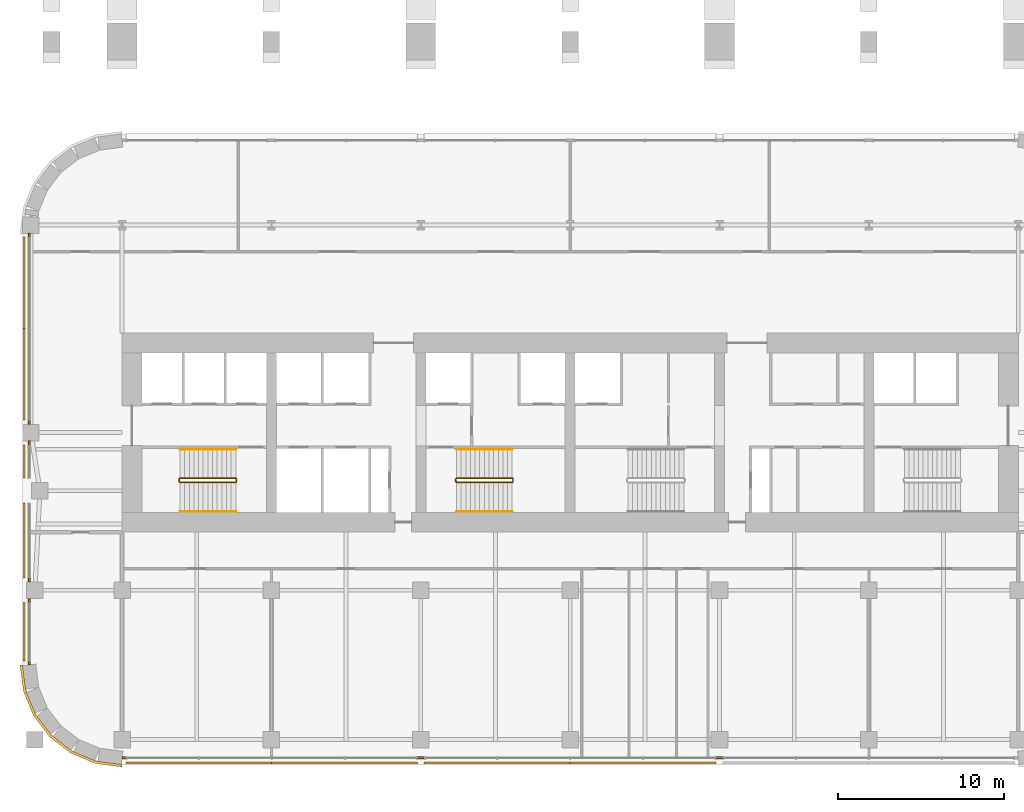
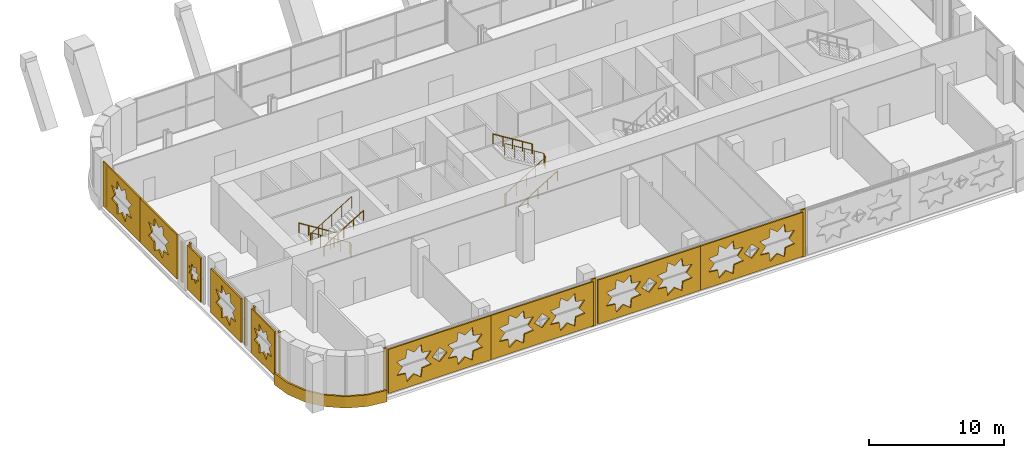
# One storey, part 20 of 24: 19 coverings, 6 railings.
"""IFC4 building model written with IfcOpenShell, lengths in metres."""

from ifc_helpers import new_model, si_unit, direction, frame, origin, origin_2d, place, context, subcontext, project, spatial, polyline, rectangle, circle, outline, extrude, material, layer, layer_set, type_object, element, save


model = new_model("IFC4")

# Units and contexts
model_context = context("Model", 3, precision=1e-05, world=origin(), true_north=direction((0.0, 1.0)))
body_context = subcontext(model_context, "Body", "Model", "MODEL_VIEW")
ifc_project = project(units=[si_unit("LENGTHUNIT", "METRE"), si_unit("AREAUNIT", "SQUARE_METRE"), si_unit("VOLUMEUNIT", "CUBIC_METRE"), si_unit("PLANEANGLEUNIT", "RADIAN"), si_unit("MASSUNIT", "GRAM", prefix="KILO")], contexts=[model_context])

# Site, building, storey
site_placement = place(None, origin())
site = spatial("IfcSite", under=ifc_project, at=site_placement, CompositionType="ELEMENT")
building_placement = place(site_placement, origin())
building = spatial("IfcBuilding", under=site, at=building_placement, Name="Zellij Exchange Tower", CompositionType="ELEMENT")
storey_placement = place(building_placement, frame((0.0, 0.0, 48.0)))
storey = spatial("IfcBuildingStorey", under=building, at=storey_placement, Name="L08", CompositionType="ELEMENT", Elevation=48.0)

# Railings
ifc_material_1 = material(Name="Stainless steel", Category="steel")
railing_type_1 = type_object("IfcRailingType", Name="CORE-RG stair guard", PredefinedType="GUARDRAIL", material=ifc_material_1)
railing_1_placement = place(storey_placement, frame((-20.10009765625, -10.800048828125, 0.0)))
element("IfcRailing", 1, at=railing_1_placement, inside=storey, type_object=railing_type_1, Name="ST1 stair guard L08", PredefinedType="GUARDRAIL", context=body_context, shape_type="SweptSolid", body=[
    extrude(circle(Radius=0.02392578125, at=origin_2d()), frame((0.0, 0.0, 1.076171875), z_axis=(0.0, -1.0, 0.0), x_axis=(1.0, 0.0, 0.0)), (0.0, 0.0, 1.0), 0.14990234375),
    extrude(circle(Radius=0.02392578125, at=origin_2d()), frame((0.0, -0.14990234375, 1.076171875), z_axis=(-0.185068141132, 0.742994154839, 0.643202510111), x_axis=(-0.970351222016, -0.241699205484, 0.0)), (0.0, 0.0, 1.0), 0.26904296875),
    extrude(circle(Radius=0.02392578125, at=origin_2d()), frame((-0.0498046875, 0.050048828125, 1.2490234375), z_axis=(-0.850623216509, 0.0, 0.525775754039), x_axis=(0.0, -1.0, 0.0)), (0.0, 0.0, 1.0), 3.9501953125),
    extrude(circle(Radius=0.02392578125, at=origin_2d()), frame((-3.409912109375, 0.050048828125, 3.326171875), z_axis=(-0.707106781187, -0.707106781187, 0.0), x_axis=(0.707106781187, -0.707106781187, 0.0)), (0.0, 0.0, 1.0), 0.07080078125),
    extrude(circle(Radius=0.02392578125, at=origin_2d()), frame((-3.4599609375, 0.0, 3.326171875), z_axis=(0.0, -1.0, 0.0), x_axis=(1.0, 0.0, 0.0)), (0.0, 0.0, 1.0), 0.14990234375),
    extrude(circle(Radius=0.02392578125, at=origin_2d()), frame((-3.4599609375, -0.14990234375, 3.326171875), z_axis=(0.267629722418, -0.267629722418, 0.925607186314), x_axis=(0.707106781187, 0.707106781187, 0.0)), (0.0, 0.0, 1.0), 0.18701171875),
    extrude(circle(Radius=0.02392578125, at=origin_2d()), frame((-3.409912109375, -0.199951171875, 3.4990234375), z_axis=(0.850623216509, 0.0, 0.525775754039), x_axis=(0.0, 1.0, 0.0)), (0.0, 0.0, 1.0), 3.9501953125),
    extrude(circle(Radius=0.02099609375, at=origin_2d()), origin(), (0.0, 0.0, 1.0), 1.052001953125),
    extrude(circle(Radius=0.02099609375, at=origin_2d()), frame((0.0, -0.14990234375, 0.0)), (0.0, 0.0, 1.0), 1.052001953125),
    extrude(circle(Radius=0.02099609375, at=origin_2d()), frame((-0.0498046875, 0.050048828125, 0.173095703125)), (0.0, 0.0, 1.0), 1.052001953125),
    extrude(circle(Radius=0.02099609375, at=origin_2d()), frame((-0.889892578125, 0.050048828125, 0.6923828125)), (0.0, 0.0, 1.0), 1.052001953125),
    extrude(circle(Radius=0.02099609375, at=origin_2d()), frame((-1.72998046875, 0.050048828125, 1.21142578125)), (0.0, 0.0, 1.0), 1.052001953125),
    extrude(circle(Radius=0.02099609375, at=origin_2d()), frame((-2.56982421875, 0.050048828125, 1.730712890625)), (0.0, 0.0, 1.0), 1.052001953125),
    extrude(circle(Radius=0.02099609375, at=origin_2d()), frame((-3.409912109375, 0.050048828125, 2.25)), (0.0, 0.0, 1.0), 1.052001953125),
    extrude(circle(Radius=0.02099609375, at=origin_2d()), frame((-3.4599609375, 0.0, 2.25)), (0.0, 0.0, 1.0), 1.052001953125),
    extrude(circle(Radius=0.02099609375, at=origin_2d()), frame((-3.4599609375, -0.14990234375, 2.25)), (0.0, 0.0, 1.0), 1.052001953125),
    extrude(circle(Radius=0.02099609375, at=origin_2d()), frame((-3.409912109375, -0.199951171875, 2.423095703125)), (0.0, 0.0, 1.0), 1.052001953125),
    extrude(circle(Radius=0.02099609375, at=origin_2d()), frame((-2.56982421875, -0.199951171875, 2.9423828125)), (0.0, 0.0, 1.0), 1.052001953125),
    extrude(circle(Radius=0.02099609375, at=origin_2d()), frame((-1.72998046875, -0.199951171875, 3.46142578125)), (0.0, 0.0, 1.0), 1.052001953125),
    extrude(circle(Radius=0.02099609375, at=origin_2d()), frame((-0.889892578125, -0.199951171875, 3.980712890625)), (0.0, 0.0, 1.0), 1.052001953125),
    extrude(circle(Radius=0.02099609375, at=origin_2d()), frame((-0.0498046875, -0.199951171875, 4.5)), (0.0, 0.0, 1.0), 1.052001953125),
])
railing_2_placement = place(storey_placement, frame((-6.89990234375, -10.949951171875, 0.0)))
element("IfcRailing", 2, at=railing_2_placement, inside=storey, type_object=railing_type_1, Name="ST2 stair guard L08", PredefinedType="GUARDRAIL", context=body_context, shape_type="SweptSolid", body=[
    extrude(circle(Radius=0.02392578125, at=origin_2d()), frame((0.0, 0.0, 1.076171875), z_axis=(0.0, 1.0, 0.0), x_axis=(-1.0, 0.0, 0.0)), (0.0, 0.0, 1.0), 0.14990234375),
    extrude(circle(Radius=0.02392578125, at=origin_2d()), frame((0.0, 0.14990234375, 1.076171875), z_axis=(0.185068141132, -0.742994154839, 0.643202510111), x_axis=(0.970351222016, 0.241699205484, 0.0)), (0.0, 0.0, 1.0), 0.26904296875),
    extrude(circle(Radius=0.02392578125, at=origin_2d()), frame((0.0498046875, -0.050048828125, 1.2490234375), z_axis=(0.850623216509, 0.0, 0.525775754039), x_axis=(0.0, 1.0, 0.0)), (0.0, 0.0, 1.0), 3.9501953125),
    extrude(circle(Radius=0.02392578125, at=origin_2d()), frame((3.409912109375, -0.050048828125, 3.326171875), z_axis=(0.707106781187, 0.707106781187, 0.0), x_axis=(-0.707106781187, 0.707106781187, 0.0)), (0.0, 0.0, 1.0), 0.07080078125),
    extrude(circle(Radius=0.02392578125, at=origin_2d()), frame((3.4599609375, 0.0, 3.326171875), z_axis=(0.0, 1.0, 0.0), x_axis=(-1.0, 0.0, 0.0)), (0.0, 0.0, 1.0), 0.14990234375),
    extrude(circle(Radius=0.02392578125, at=origin_2d()), frame((3.4599609375, 0.14990234375, 3.326171875), z_axis=(-0.267629722418, 0.267629722418, 0.925607186314), x_axis=(-0.707106781187, -0.707106781187, 0.0)), (0.0, 0.0, 1.0), 0.18701171875),
    extrude(circle(Radius=0.02392578125, at=origin_2d()), frame((3.409912109375, 0.199951171875, 3.4990234375), z_axis=(-0.850623216509, 0.0, 0.525775754039), x_axis=(0.0, -1.0, 0.0)), (0.0, 0.0, 1.0), 3.9501953125),
    extrude(circle(Radius=0.02099609375, at=origin_2d()), origin(), (0.0, 0.0, 1.0), 1.052001953125),
    extrude(circle(Radius=0.02099609375, at=origin_2d()), frame((0.0, 0.14990234375, 0.0)), (0.0, 0.0, 1.0), 1.052001953125),
    extrude(circle(Radius=0.02099609375, at=origin_2d()), frame((0.0498046875, -0.050048828125, 0.173095703125)), (0.0, 0.0, 1.0), 1.052001953125),
    extrude(circle(Radius=0.02099609375, at=origin_2d()), frame((0.889892578125, -0.050048828125, 0.6923828125)), (0.0, 0.0, 1.0), 1.052001953125),
    extrude(circle(Radius=0.02099609375, at=origin_2d()), frame((1.72998046875, -0.050048828125, 1.21142578125)), (0.0, 0.0, 1.0), 1.052001953125),
    extrude(circle(Radius=0.02099609375, at=origin_2d()), frame((2.56982421875, -0.050048828125, 1.730712890625)), (0.0, 0.0, 1.0), 1.052001953125),
    extrude(circle(Radius=0.02099609375, at=origin_2d()), frame((3.409912109375, -0.050048828125, 2.25)), (0.0, 0.0, 1.0), 1.052001953125),
    extrude(circle(Radius=0.02099609375, at=origin_2d()), frame((3.4599609375, 0.0, 2.25)), (0.0, 0.0, 1.0), 1.052001953125),
    extrude(circle(Radius=0.02099609375, at=origin_2d()), frame((3.4599609375, 0.14990234375, 2.25)), (0.0, 0.0, 1.0), 1.052001953125),
    extrude(circle(Radius=0.02099609375, at=origin_2d()), frame((3.409912109375, 0.199951171875, 2.423095703125)), (0.0, 0.0, 1.0), 1.052001953125),
    extrude(circle(Radius=0.02099609375, at=origin_2d()), frame((2.56982421875, 0.199951171875, 2.9423828125)), (0.0, 0.0, 1.0), 1.052001953125),
    extrude(circle(Radius=0.02099609375, at=origin_2d()), frame((1.72998046875, 0.199951171875, 3.46142578125)), (0.0, 0.0, 1.0), 1.052001953125),
    extrude(circle(Radius=0.02099609375, at=origin_2d()), frame((0.889892578125, 0.199951171875, 3.980712890625)), (0.0, 0.0, 1.0), 1.052001953125),
    extrude(circle(Radius=0.02099609375, at=origin_2d()), frame((0.0498046875, 0.199951171875, 4.5)), (0.0, 0.0, 1.0), 1.052001953125),
])
railing_type_2 = type_object("IfcRailingType", Name="CORE-RH stair handrail", PredefinedType="HANDRAIL", material=ifc_material_1)
railing_3_placement = place(storey_placement, frame((-20.14990234375, -9.0, 0.173095703125)))
element("IfcRailing", 3, at=railing_3_placement, inside=storey, type_object=railing_type_2, Name="ST1 stair handrail L08", PredefinedType="HANDRAIL", context=body_context, shape_type="SweptSolid", body=[
    extrude(circle(Radius=0.02392578125, at=origin_2d()), frame((0.0, 0.0, 0.8759765625), z_axis=(-0.850623216509, 0.0, 0.525775754039), x_axis=(0.0, -1.0, 0.0)), (0.0, 0.0, 1.0), 3.9501953125),
    extrude(circle(Radius=0.02099609375, at=origin_2d()), origin(), (0.0, 0.0, 1.0), 0.851806640625),
    extrude(circle(Radius=0.02099609375, at=origin_2d()), frame((-0.840087890625, 0.0, 0.519287109375)), (0.0, 0.0, 1.0), 0.851806640625),
    extrude(circle(Radius=0.02099609375, at=origin_2d()), frame((-1.68017578125, 0.0, 1.03857421875)), (0.0, 0.0, 1.0), 0.851806640625),
    extrude(circle(Radius=0.02099609375, at=origin_2d()), frame((-2.52001953125, 0.0, 1.5576171875)), (0.0, 0.0, 1.0), 0.851806640625),
    extrude(circle(Radius=0.02099609375, at=origin_2d()), frame((-3.360107421875, 0.0, 2.076904296875)), (0.0, 0.0, 1.0), 0.851806640625),
])
for number, where, name in (
    (4, (-23.510009765625, -12.75, 2.423095703125), "ST1 stair handrail L08"),
    (5, (-6.85009765625, -12.75, 0.173095703125), "ST2 stair handrail L08"),
):
    element("IfcRailing", number, at=place(storey_placement, frame(where)), inside=storey, type_object=railing_type_2, Name=name, PredefinedType="HANDRAIL", context=body_context, shape_type="SweptSolid", body=[
        extrude(circle(Radius=0.02392578125, at=origin_2d()), frame((0.0, 0.0, 0.8759765625), z_axis=(0.850623216509, 0.0, 0.525775754039), x_axis=(0.0, 1.0, 0.0)), (0.0, 0.0, 1.0), 3.9501953125),
        extrude(circle(Radius=0.02099609375, at=origin_2d()), origin(), (0.0, 0.0, 1.0), 0.851806640625),
        extrude(circle(Radius=0.02099609375, at=origin_2d()), frame((0.840087890625, 0.0, 0.519287109375)), (0.0, 0.0, 1.0), 0.851806640625),
        extrude(circle(Radius=0.02099609375, at=origin_2d()), frame((1.68017578125, 0.0, 1.03857421875)), (0.0, 0.0, 1.0), 0.851806640625),
        extrude(circle(Radius=0.02099609375, at=origin_2d()), frame((2.52001953125, 0.0, 1.5576171875)), (0.0, 0.0, 1.0), 0.851806640625),
        extrude(circle(Radius=0.02099609375, at=origin_2d()), frame((3.360107421875, 0.0, 2.076904296875)), (0.0, 0.0, 1.0), 0.851806640625),
    ])
railing_4_placement = place(storey_placement, frame((-3.489990234375, -9.0, 2.423095703125)))
element("IfcRailing", 6, at=railing_4_placement, inside=storey, type_object=railing_type_2, Name="ST2 stair handrail L08", PredefinedType="HANDRAIL", context=body_context, shape_type="SweptSolid", body=[
    extrude(circle(Radius=0.02392578125, at=origin_2d()), frame((0.0, 0.0, 0.8759765625), z_axis=(-0.850623216509, 0.0, 0.525775754039), x_axis=(0.0, -1.0, 0.0)), (0.0, 0.0, 1.0), 3.9501953125),
    extrude(circle(Radius=0.02099609375, at=origin_2d()), origin(), (0.0, 0.0, 1.0), 0.851806640625),
    extrude(circle(Radius=0.02099609375, at=origin_2d()), frame((-0.840087890625, 0.0, 0.519287109375)), (0.0, 0.0, 1.0), 0.851806640625),
    extrude(circle(Radius=0.02099609375, at=origin_2d()), frame((-1.68017578125, 0.0, 1.03857421875)), (0.0, 0.0, 1.0), 0.851806640625),
    extrude(circle(Radius=0.02099609375, at=origin_2d()), frame((-2.52001953125, 0.0, 1.5576171875)), (0.0, 0.0, 1.0), 0.851806640625),
    extrude(circle(Radius=0.02099609375, at=origin_2d()), frame((-3.360107421875, 0.0, 2.076904296875)), (0.0, 0.0, 1.0), 0.851806640625),
])

# Coverings
ifc_material_2 = material(Name="Limestone cladding", Category="masonry")
ifc_layer_1 = layer(ifc_material_2, 0.14990234375)
ifc_layer_set_1 = layer_set([ifc_layer_1], Name="Limestone cladding")
covering_type_1 = type_object("IfcCoveringType", Name="ENV-CV1 Stone spandrel band 150", PredefinedType="CLADDING", material=ifc_layer_set_1)
covering_1_placement = place(storey_placement, frame((0.0, 0.0, -0.25)))
element("IfcCovering", 7, at=covering_1_placement, inside=storey, type_object=covering_type_1, Name="Stone spandrel band", PredefinedType="CLADDING", context=body_context, shape_type="SweptSolid", body=[
    extrude(outline(polyline([(-33.0, -22.0), (-32.795654296875, -23.552978515625), (-32.1962890625, -25.0), (-31.24267578125, -26.24267578125), (-30.0, -27.1962890625), (-28.552978515625, -27.795654296875), (-27.0, -28.0), (-27.009765625, -28.14990234375), (-28.592041015625, -27.941650390625), (-30.07568359375, -27.3271484375), (-31.349609375, -26.349609375), (-32.3271484375, -25.07568359375), (-32.941650390625, -23.592041015625), (-33.14990234375, -22.009765625), (-33.0, -22.0)])), origin(), (0.0, 0.0, 1.0), 1.050048828125),
])
ifc_layer_2 = layer(ifc_material_2, 0.1201171875)
ifc_layer_set_2 = layer_set([ifc_layer_2], Name="Limestone cladding")
covering_type_2 = type_object("IfcCoveringType", Name="ENV-CV18 Glazing closer 120", PredefinedType="CLADDING", material=ifc_layer_set_2)
for number, where, z_axis, x_axis, name in (
    (8, (9.0, -27.60009765625, 0.0), (0.0, 0.0, 1.0), (1.0, 0.0, 0.0), "Glazing closer"),
    (9, (-9.0, -27.60009765625, 0.0), (0.0, 0.0, 1.0), (1.0, 0.0, 0.0), "Glazing closer"),
):
    element("IfcCovering", number, at=place(storey_placement, frame(where, z_axis=z_axis, x_axis=x_axis)), inside=storey, type_object=covering_type_2, Name=name, PredefinedType="CLADDING", context=body_context, shape_type="SweptSolid", body=[
        extrude(rectangle(XDim=0.39990234375, YDim=0.1201171875, at=origin_2d()), origin(), (0.0, 0.0, 1.0), 4.300048828125),
    ])
covering_2_placement = place(storey_placement, frame((-32.60009765625, -7.375, 0.0), z_axis=(0.0, 0.0, 1.0), x_axis=(0.0, -1.0, 0.0)))
element("IfcCovering", 10, at=covering_2_placement, inside=storey, type_object=covering_type_2, Name="Glazing closer", PredefinedType="CLADDING", context=body_context, shape_type="SweptSolid", body=[
    extrude(rectangle(XDim=0.25, YDim=0.1201171875, at=origin_2d()), origin(), (0.0, 0.0, 1.0), 3.677734375),
])
for number, where, z_axis, x_axis, name in (
    (11, (-32.60009765625, -8.625, 0.0), (0.0, 0.0, 1.0), (0.0, 1.0, 0.0), "Glazing closer"),
    (12, (-32.60009765625, -16.875, 0.0), (0.0, 0.0, 1.0), (0.0, -1.0, 0.0), "Glazing closer"),
    (13, (-32.60009765625, -18.125, 0.0), (0.0, 0.0, 1.0), (0.0, 1.0, 0.0), "Glazing closer"),
):
    element("IfcCovering", number, at=place(storey_placement, frame(where, z_axis=z_axis, x_axis=x_axis)), inside=storey, type_object=covering_type_2, Name=name, PredefinedType="CLADDING", context=body_context, shape_type="SweptSolid", body=[
        extrude(rectangle(XDim=0.25, YDim=0.1201171875, at=origin_2d()), origin(), (0.0, 0.0, 1.0), 4.300048828125),
    ])
covering_3_placement = place(storey_placement, frame((-32.60009765625, 3.886962890625, 0.0), z_axis=(0.0, 0.0, 1.0), x_axis=(0.0, 1.0, 0.0)))
element("IfcCovering", 14, at=covering_3_placement, inside=storey, type_object=covering_type_2, Name="Glazing closer", PredefinedType="CLADDING", context=body_context, shape_type="SweptSolid", body=[
    extrude(rectangle(XDim=0.226318359375, YDim=0.1201171875, at=origin_2d()), origin(), (0.0, 0.0, 1.0), 3.677734375),
])
for number, where, z_axis, x_axis, name in (
    (15, (-26.883056640625, -27.60009765625, 0.0), (0.0, 0.0, 1.0), (-1.0, 0.0, 0.0), "Glazing closer"),
    (16, (-32.60009765625, -21.883056640625, 0.0), (0.0, 0.0, 1.0), (0.0, -1.0, 0.0), "Glazing closer"),
):
    element("IfcCovering", number, at=place(storey_placement, frame(where, z_axis=z_axis, x_axis=x_axis)), inside=storey, type_object=covering_type_2, Name=name, PredefinedType="CLADDING", context=body_context, shape_type="SweptSolid", body=[
        extrude(rectangle(XDim=0.218505859375, YDim=0.1201171875, at=origin_2d()), origin(), (0.0, 0.0, 1.0), 4.300048828125),
    ])
ifc_material_3 = material(Name="Limestone screen", Category="masonry")
ifc_layer_3 = layer(ifc_material_3, 0.1201171875)
ifc_layer_set_3 = layer_set([ifc_layer_3], Name="Limestone screen")
covering_type_3 = type_object("IfcCoveringType", Name="ENV-SC1 Pierced stone screen 120", PredefinedType="USERDEFINED", material=ifc_layer_set_3)
covering_4_placement = place(storey_placement, frame((-26.773681640625, -27.89990234375, 0.300048828125), z_axis=(0.0, 0.0, 1.0), x_axis=(1.0, 0.0, 0.0)))
element("IfcCovering", 17, at=covering_4_placement, inside=storey, type_object=covering_type_3, Name="Pierced stone screen", ObjectType="SCREEN", PredefinedType="USERDEFINED", context=body_context, shape_type="SweptSolid", body=[
    extrude(outline(polyline([(0.0, 0.0), (8.786865234375, 0.0), (8.786865234375, 4.0), (0.0, 4.0), (0.0, 0.0)]), holes=[polyline([(3.6748046875, 2.6123046875), (2.898193359375, 2.701416015625), (2.80908203125, 3.478271484375), (2.19677734375, 2.991943359375), (1.58447265625, 3.478271484375), (1.495361328125, 2.701416015625), (0.718505859375, 2.6123046875), (1.20458984375, 2.0), (0.718505859375, 1.3876953125), (1.495361328125, 1.298583984375), (1.58447265625, 0.521728515625), (2.19677734375, 1.008056640625), (2.80908203125, 0.521728515625), (2.898193359375, 1.298583984375), (3.6748046875, 1.3876953125), (3.188720703125, 2.0), (3.6748046875, 2.6123046875)]), polyline([(8.068359375, 2.6123046875), (7.29150390625, 2.701416015625), (7.202392578125, 3.478271484375), (6.590087890625, 2.991943359375), (5.977783203125, 3.478271484375), (5.888671875, 2.701416015625), (5.112060546875, 2.6123046875), (5.59814453125, 2.0), (5.112060546875, 1.3876953125), (5.888671875, 1.298583984375), (5.977783203125, 0.521728515625), (6.590087890625, 1.008056640625), (7.202392578125, 0.521728515625), (7.29150390625, 1.298583984375), (8.068359375, 1.3876953125), (7.582275390625, 2.0), (8.068359375, 2.6123046875)]), polyline([(5.033447265625, 2.0), (4.393310546875, 2.639892578125), (3.75341796875, 2.0), (4.393310546875, 1.360107421875), (5.033447265625, 2.0)])]), frame((0.0, 0.06005859375, 0.0), z_axis=(0.0, -1.0, 0.0), x_axis=(1.0, 0.0, 0.0)), (0.0, 0.0, 1.0), 0.1201171875),
])
covering_5_placement = place(storey_placement, frame((-17.98681640625, -27.89990234375, 0.300048828125), z_axis=(0.0, 0.0, 1.0), x_axis=(1.0, 0.0, 0.0)))
element("IfcCovering", 18, at=covering_5_placement, inside=storey, type_object=covering_type_3, Name="Pierced stone screen", ObjectType="SCREEN", PredefinedType="USERDEFINED", context=body_context, shape_type="SweptSolid", body=[
    extrude(outline(polyline([(0.0, 0.0), (8.786865234375, 0.0), (8.786865234375, 4.0), (0.0, 4.0), (0.0, 0.0)]), holes=[polyline([(3.6748046875, 2.6123046875), (2.898193359375, 2.701416015625), (2.80908203125, 3.478271484375), (2.19677734375, 2.991943359375), (1.58447265625, 3.478271484375), (1.495361328125, 2.701416015625), (0.718505859375, 2.6123046875), (1.20458984375, 2.0), (0.718505859375, 1.3876953125), (1.495361328125, 1.298583984375), (1.58447265625, 0.521728515625), (2.19677734375, 1.008056640625), (2.80908203125, 0.521728515625), (2.898193359375, 1.298583984375), (3.6748046875, 1.3876953125), (3.188720703125, 2.0), (3.6748046875, 2.6123046875)]), polyline([(8.068359375, 2.6123046875), (7.29150390625, 2.701416015625), (7.202392578125, 3.478271484375), (6.590087890625, 2.991943359375), (5.977783203125, 3.478271484375), (5.888671875, 2.701416015625), (5.112060546875, 2.6123046875), (5.59814453125, 2.0), (5.112060546875, 1.3876953125), (5.888671875, 1.298583984375), (5.977783203125, 0.521728515625), (6.590087890625, 1.008056640625), (7.202392578125, 0.521728515625), (7.29150390625, 1.298583984375), (8.068359375, 1.3876953125), (7.582275390625, 2.0), (8.068359375, 2.6123046875)]), polyline([(5.033447265625, 2.0), (4.3935546875, 2.639892578125), (3.75341796875, 2.0), (4.3935546875, 1.360107421875), (5.033447265625, 2.0)])]), frame((0.0, 0.06005859375, 0.0), z_axis=(0.0, -1.0, 0.0), x_axis=(1.0, 0.0, 0.0)), (0.0, 0.0, 1.0), 0.1201171875),
])
for number, where, z_axis, x_axis, name in (
    (19, (-8.800048828125, -27.89990234375, 0.300048828125), (0.0, 0.0, 1.0), (1.0, 0.0, 0.0), "Pierced stone screen"),
    (20, (0.0, -27.89990234375, 0.300048828125), (0.0, 0.0, 1.0), (1.0, 0.0, 0.0), "Pierced stone screen"),
):
    element("IfcCovering", number, at=place(storey_placement, frame(where, z_axis=z_axis, x_axis=x_axis)), inside=storey, type_object=covering_type_3, Name=name, ObjectType="SCREEN", PredefinedType="USERDEFINED", context=body_context, shape_type="SweptSolid", body=[
        extrude(outline(polyline([(0.0, 0.0), (8.800048828125, 0.0), (8.800048828125, 4.0), (0.0, 4.0), (0.0, 0.0)]), holes=[polyline([(3.67822265625, 2.6123046875), (2.9013671875, 2.701416015625), (2.812255859375, 3.478271484375), (2.199951171875, 2.991943359375), (1.587646484375, 3.478271484375), (1.49853515625, 2.701416015625), (0.7216796875, 2.6123046875), (1.2080078125, 2.0), (0.7216796875, 1.3876953125), (1.49853515625, 1.298583984375), (1.587646484375, 0.521728515625), (2.199951171875, 1.008056640625), (2.812255859375, 0.521728515625), (2.9013671875, 1.298583984375), (3.67822265625, 1.3876953125), (3.19189453125, 2.0), (3.67822265625, 2.6123046875)]), polyline([(8.078125, 2.6123046875), (7.301513671875, 2.701416015625), (7.21240234375, 3.478271484375), (6.60009765625, 2.991943359375), (5.98779296875, 3.478271484375), (5.898681640625, 2.701416015625), (5.121826171875, 2.6123046875), (5.60791015625, 2.0), (5.121826171875, 1.3876953125), (5.898681640625, 1.298583984375), (5.98779296875, 0.521728515625), (6.60009765625, 1.008056640625), (7.21240234375, 0.521728515625), (7.301513671875, 1.298583984375), (8.078125, 1.3876953125), (7.592041015625, 2.0), (8.078125, 2.6123046875)]), polyline([(5.0400390625, 2.0), (4.39990234375, 2.639892578125), (3.760009765625, 2.0), (4.39990234375, 1.360107421875), (5.0400390625, 2.0)])]), frame((0.0, 0.06005859375, 0.0), z_axis=(0.0, -1.0, 0.0), x_axis=(1.0, 0.0, 0.0)), (0.0, 0.0, 1.0), 0.1201171875),
    ])
for number, where, z_axis, x_axis, name in (
    (21, (-32.89990234375, 3.773681640625, 0.300048828125), (0.0, 0.0, 1.0), (0.0, -1.0, 0.0), "Pierced stone screen"),
    (22, (-32.89990234375, -1.738037109375, 0.300048828125), (0.0, 0.0, 1.0), (0.0, -1.0, 0.0), "Pierced stone screen"),
):
    element("IfcCovering", number, at=place(storey_placement, frame(where, z_axis=z_axis, x_axis=x_axis)), inside=storey, type_object=covering_type_3, Name=name, ObjectType="SCREEN", PredefinedType="USERDEFINED", context=body_context, shape_type="SweptSolid", body=[
        extrude(outline(polyline([(0.0, 0.0), (5.511962890625, 0.0), (5.511962890625, 4.0), (0.0, 4.0), (0.0, 0.0)]), holes=[polyline([(4.234130859375, 2.6123046875), (3.45751953125, 2.701416015625), (3.3681640625, 3.478271484375), (2.755859375, 2.991943359375), (2.143798828125, 3.478271484375), (2.054443359375, 2.701416015625), (1.277587890625, 2.6123046875), (1.763916015625, 2.0), (1.277587890625, 1.3876953125), (2.054443359375, 1.298583984375), (2.143798828125, 0.521728515625), (2.755859375, 1.008056640625), (3.3681640625, 0.521728515625), (3.45751953125, 1.298583984375), (4.234130859375, 1.3876953125), (3.747802734375, 2.0), (4.234130859375, 2.6123046875)])]), frame((0.0, 0.06005859375, 0.0), z_axis=(0.0, -1.0, 0.0), x_axis=(1.0, 0.0, 0.0)), (0.0, 0.0, 1.0), 0.1201171875),
    ])
covering_6_placement = place(storey_placement, frame((-32.89990234375, -8.75, 0.300048828125), z_axis=(0.0, 0.0, 1.0), x_axis=(0.0, -1.0, 0.0)))
element("IfcCovering", 23, at=covering_6_placement, inside=storey, type_object=covering_type_3, Name="Pierced stone screen", ObjectType="SCREEN", PredefinedType="USERDEFINED", context=body_context, shape_type="SweptSolid", body=[
    extrude(outline(polyline([(0.0, 0.0), (2.0, 0.0), (2.0, 4.0), (0.0, 4.0), (0.0, 0.0)]), holes=[polyline([(1.739013671875, 2.30615234375), (1.3505859375, 2.3505859375), (1.30615234375, 2.739013671875), (1.0, 2.49609375), (0.69384765625, 2.739013671875), (0.6494140625, 2.3505859375), (0.260986328125, 2.30615234375), (0.50390625, 2.0), (0.260986328125, 1.69384765625), (0.6494140625, 1.6494140625), (0.69384765625, 1.260986328125), (1.0, 1.50390625), (1.30615234375, 1.260986328125), (1.3505859375, 1.6494140625), (1.739013671875, 1.69384765625), (1.49609375, 2.0), (1.739013671875, 2.30615234375)])]), frame((0.0, 0.06005859375, 0.0), z_axis=(0.0, -1.0, 0.0), x_axis=(1.0, 0.0, 0.0)), (0.0, 0.0, 1.0), 0.1201171875),
])
covering_7_placement = place(storey_placement, frame((-32.89990234375, -12.25, 0.300048828125), z_axis=(0.0, 0.0, 1.0), x_axis=(0.0, -1.0, 0.0)))
element("IfcCovering", 24, at=covering_7_placement, inside=storey, type_object=covering_type_3, Name="Pierced stone screen", ObjectType="SCREEN", PredefinedType="USERDEFINED", context=body_context, shape_type="SweptSolid", body=[
    extrude(outline(polyline([(0.0, 0.0), (4.5, 0.0), (4.5, 4.0), (0.0, 4.0), (0.0, 0.0)]), holes=[polyline([(3.728271484375, 2.6123046875), (2.951416015625, 2.701416015625), (2.8623046875, 3.478271484375), (2.25, 2.991943359375), (1.6376953125, 3.478271484375), (1.548583984375, 2.701416015625), (0.771728515625, 2.6123046875), (1.258056640625, 2.0), (0.771728515625, 1.3876953125), (1.548583984375, 1.298583984375), (1.6376953125, 0.521728515625), (2.25, 1.008056640625), (2.8623046875, 0.521728515625), (2.951416015625, 1.298583984375), (3.728271484375, 1.3876953125), (3.241943359375, 2.0), (3.728271484375, 2.6123046875)])]), frame((0.0, 0.06005859375, 0.0), z_axis=(0.0, -1.0, 0.0), x_axis=(1.0, 0.0, 0.0)), (0.0, 0.0, 1.0), 0.1201171875),
])
covering_8_placement = place(storey_placement, frame((-32.89990234375, -18.25, 0.300048828125), z_axis=(0.0, 0.0, 1.0), x_axis=(0.0, -1.0, 0.0)))
element("IfcCovering", 25, at=covering_8_placement, inside=storey, type_object=covering_type_3, Name="Pierced stone screen", ObjectType="SCREEN", PredefinedType="USERDEFINED", context=body_context, shape_type="SweptSolid", body=[
    extrude(outline(polyline([(0.0, 0.0), (3.523681640625, 0.0), (3.523681640625, 4.0), (0.0, 4.0), (0.0, 0.0)]), holes=[polyline([(3.064208984375, 2.539306640625), (2.3798828125, 2.617919921875), (2.30126953125, 3.30224609375), (1.761962890625, 2.873779296875), (1.222412109375, 3.30224609375), (1.14404296875, 2.617919921875), (0.459716796875, 2.539306640625), (0.887939453125, 2.0), (0.459716796875, 1.460693359375), (1.14404296875, 1.382080078125), (1.222412109375, 0.69775390625), (1.761962890625, 1.126220703125), (2.30126953125, 0.69775390625), (2.3798828125, 1.382080078125), (3.064208984375, 1.460693359375), (2.6357421875, 2.0), (3.064208984375, 2.539306640625)])]), frame((0.0, 0.06005859375, 0.0), z_axis=(0.0, -1.0, 0.0), x_axis=(1.0, 0.0, 0.0)), (0.0, 0.0, 1.0), 0.1201171875),
])

save(model, "model.ifc")
